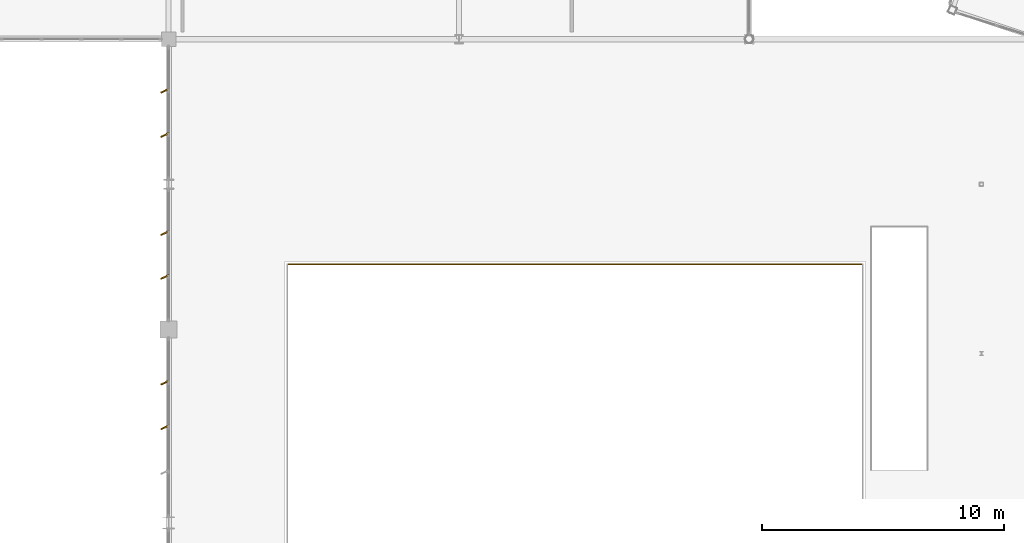
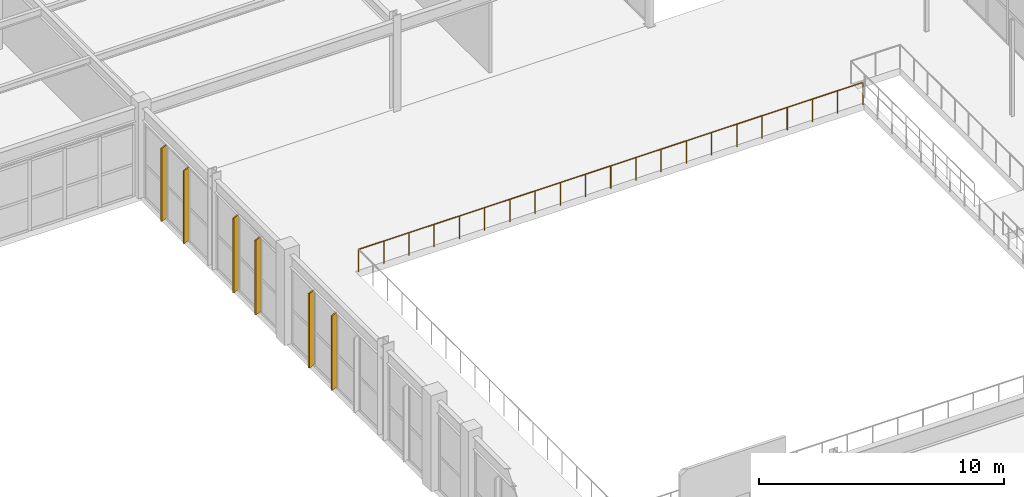
# One storey, part 211 of 226: 6 shading devices, 1 railing.
"""IFC4 building model written with IfcOpenShell, lengths in metres."""

from ifc_helpers import new_model, si_unit, direction, frame, origin, origin_2d, place, context, subcontext, project, spatial, rectangle, circle, extrude, material, layer, layer_set, type_object, element, save


model = new_model("IFC4")

# Units and contexts
model_context = context("Model", 3, precision=1e-05, world=origin(), true_north=direction((0.0, 1.0)))
body_context = subcontext(model_context, "Body", "Model", "MODEL_VIEW")
ifc_project = project(units=[si_unit("LENGTHUNIT", "METRE"), si_unit("AREAUNIT", "SQUARE_METRE"), si_unit("VOLUMEUNIT", "CUBIC_METRE"), si_unit("PLANEANGLEUNIT", "RADIAN"), si_unit("MASSUNIT", "GRAM", prefix="KILO")], contexts=[model_context])

# Site, building, storey
site_placement = place(None, origin())
site = spatial("IfcSite", under=ifc_project, at=site_placement, CompositionType="ELEMENT")
building_placement = place(site_placement, origin())
building = spatial("IfcBuilding", under=site, at=building_placement, Name="Tarnwether General Hospital", CompositionType="ELEMENT")
storey_placement = place(building_placement, frame((0.0, 0.0, 4.800048828125)))
storey = spatial("IfcBuildingStorey", under=building, at=storey_placement, Name="L01", CompositionType="ELEMENT", Elevation=4.800048828125)

# Railing
ifc_material_1 = material(Name="Double glazed low-E glass", Category="glass")
railing_type = type_object("IfcRailingType", Name="RL-BAL-ATR", PredefinedType="BALUSTRADE", material=ifc_material_1)
railing_placement = place(storey_placement, frame((136.699951171875, 72.300048828125, 0.0)))
element("IfcRailing", 1, at=railing_placement, inside=storey, type_object=railing_type, Name="Main Hall Atrium Balustrade L01 3", PredefinedType="BALUSTRADE", context=body_context, shape_type="SweptSolid", body=[
    extrude(circle(Radius=0.02392578125, at=origin_2d()), frame((0.0, 0.0, 1.1259765625), z_axis=(-1.0, 0.0, 0.0), x_axis=(0.0, -1.0, 0.0)), (0.0, 0.0, 1.0), 23.800048828125),
    extrude(circle(Radius=0.02099609375, at=origin_2d()), origin(), (0.0, 0.0, 1.0), 1.101806640625),
    extrude(circle(Radius=0.02099609375, at=origin_2d()), frame((-1.18994140625, 0.0, 0.0)), (0.0, 0.0, 1.0), 1.101806640625),
    extrude(circle(Radius=0.02099609375, at=origin_2d()), frame((-2.3798828125, 0.0, 0.0)), (0.0, 0.0, 1.0), 1.101806640625),
    extrude(circle(Radius=0.02099609375, at=origin_2d()), frame((-3.570068359375, 0.0, 0.0)), (0.0, 0.0, 1.0), 1.101806640625),
    extrude(circle(Radius=0.02099609375, at=origin_2d()), frame((-4.760009765625, 0.0, 0.0)), (0.0, 0.0, 1.0), 1.101806640625),
    extrude(circle(Radius=0.02099609375, at=origin_2d()), frame((-5.949951171875, 0.0, 0.0)), (0.0, 0.0, 1.0), 1.101806640625),
    extrude(circle(Radius=0.02099609375, at=origin_2d()), frame((-7.14013671875, 0.0, 0.0)), (0.0, 0.0, 1.0), 1.101806640625),
    extrude(circle(Radius=0.02099609375, at=origin_2d()), frame((-8.330078125, 0.0, 0.0)), (0.0, 0.0, 1.0), 1.101806640625),
    extrude(circle(Radius=0.02099609375, at=origin_2d()), frame((-9.52001953125, 0.0, 0.0)), (0.0, 0.0, 1.0), 1.101806640625),
    extrude(circle(Radius=0.02099609375, at=origin_2d()), frame((-10.7099609375, 0.0, 0.0)), (0.0, 0.0, 1.0), 1.101806640625),
    extrude(circle(Radius=0.02099609375, at=origin_2d()), frame((-11.89990234375, 0.0, 0.0)), (0.0, 0.0, 1.0), 1.101806640625),
    extrude(circle(Radius=0.02099609375, at=origin_2d()), frame((-13.090087890625, 0.0, 0.0)), (0.0, 0.0, 1.0), 1.101806640625),
    extrude(circle(Radius=0.02099609375, at=origin_2d()), frame((-14.280029296875, 0.0, 0.0)), (0.0, 0.0, 1.0), 1.101806640625),
    extrude(circle(Radius=0.02099609375, at=origin_2d()), frame((-15.469970703125, 0.0, 0.0)), (0.0, 0.0, 1.0), 1.101806640625),
    extrude(circle(Radius=0.02099609375, at=origin_2d()), frame((-16.66015625, 0.0, 0.0)), (0.0, 0.0, 1.0), 1.101806640625),
    extrude(circle(Radius=0.02099609375, at=origin_2d()), frame((-17.85009765625, 0.0, 0.0)), (0.0, 0.0, 1.0), 1.101806640625),
    extrude(circle(Radius=0.02099609375, at=origin_2d()), frame((-19.0400390625, 0.0, 0.0)), (0.0, 0.0, 1.0), 1.101806640625),
    extrude(circle(Radius=0.02099609375, at=origin_2d()), frame((-20.22998046875, 0.0, 0.0)), (0.0, 0.0, 1.0), 1.101806640625),
    extrude(circle(Radius=0.02099609375, at=origin_2d()), frame((-21.419921875, 0.0, 0.0)), (0.0, 0.0, 1.0), 1.101806640625),
    extrude(circle(Radius=0.02099609375, at=origin_2d()), frame((-22.610107421875, 0.0, 0.0)), (0.0, 0.0, 1.0), 1.101806640625),
    extrude(circle(Radius=0.02099609375, at=origin_2d()), frame((-23.800048828125, 0.0, 0.0)), (0.0, 0.0, 1.0), 1.101806640625),
])

# Shading devices
ifc_material_2 = material(Name="Champagne-bronze anodised aluminium", Category="aluminium")
ifc_layer = layer(ifc_material_2, 0.06005859375)
ifc_layer_set = layer_set([ifc_layer], Name="Champagne-bronze anodised aluminium")
shading_device_type = type_object("IfcShadingDeviceType", Name="SH-FIN-BRZ", PredefinedType="USERDEFINED", material=ifc_layer_set)
for number, where, z_axis, x_axis, name in (
    (2, (107.840087890625, 65.550048828125, 0.0498046875), (0.0, 0.0, 1.0), (-0.422618261741, 0.906307787037, 0.0), "Champagne-Bronze Brise-Soleil Fin 0282"),
    (3, (107.840087890625, 67.39599609375, 0.0498046875), (0.0, 0.0, 1.0), (-0.422618261741, 0.906307787037, 0.0), "Champagne-Bronze Brise-Soleil Fin 0283"),
):
    element("IfcShadingDevice", number, at=place(storey_placement, frame(where, z_axis=z_axis, x_axis=x_axis)), inside=storey, type_object=shading_device_type, Name=name, ObjectType="SOLAR FIN", PredefinedType="USERDEFINED", context=body_context, shape_type="SweptSolid", body=[
        extrude(rectangle(XDim=0.06005859375, YDim=0.360107421875, at=origin_2d()), origin(), (0.0, 0.0, 1.0), 3.722900390625),
    ])
for number, where, z_axis, x_axis, name in (
    (4, (107.840087890625, 71.76904296875, 0.050048828125), (0.0, 0.0, 1.0), (-0.422618261741, 0.906307787037, 0.0), "Champagne-Bronze Brise-Soleil Fin 0284"),
    (5, (107.840087890625, 73.5810546875, 0.050048828125), (0.0, 0.0, 1.0), (-0.422618261741, 0.906307787037, 0.0), "Champagne-Bronze Brise-Soleil Fin 0285"),
):
    element("IfcShadingDevice", number, at=place(storey_placement, frame(where, z_axis=z_axis, x_axis=x_axis)), inside=storey, type_object=shading_device_type, Name=name, ObjectType="SOLAR FIN", PredefinedType="USERDEFINED", context=body_context, shape_type="SweptSolid", body=[
        extrude(rectangle(XDim=0.06005859375, YDim=0.360107421875, at=origin_2d()), origin(), (0.0, 0.0, 1.0), 3.72802734375),
    ])
for number, where, z_axis, x_axis, name in (
    (6, (107.840087890625, 77.635986328125, 0.0498046875), (0.0, 0.0, 1.0), (-0.422618261741, 0.906307787037, 0.0), "Champagne-Bronze Brise-Soleil Fin 0286"),
    (7, (107.840087890625, 79.464111328125, 0.0498046875), (0.0, 0.0, 1.0), (-0.422618261741, 0.906307787037, 0.0), "Champagne-Bronze Brise-Soleil Fin 0287"),
):
    element("IfcShadingDevice", number, at=place(storey_placement, frame(where, z_axis=z_axis, x_axis=x_axis)), inside=storey, type_object=shading_device_type, Name=name, ObjectType="SOLAR FIN", PredefinedType="USERDEFINED", context=body_context, shape_type="SweptSolid", body=[
        extrude(rectangle(XDim=0.06005859375, YDim=0.360107421875, at=origin_2d()), origin(), (0.0, 0.0, 1.0), 3.637939453125),
    ])

save(model, "model.ifc")
